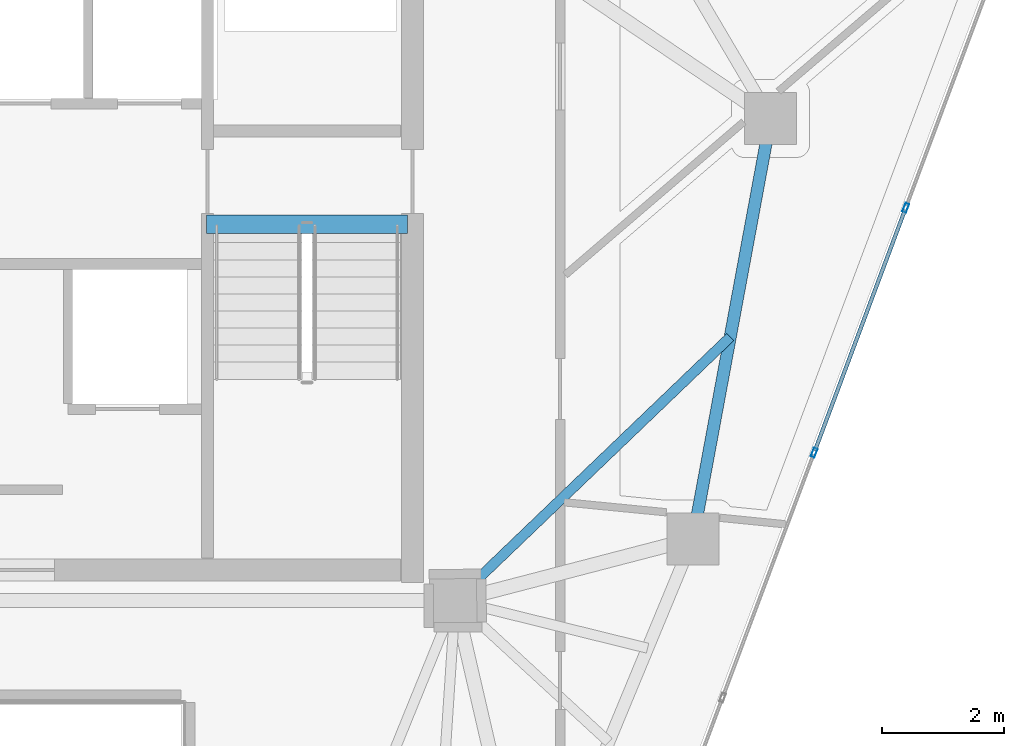
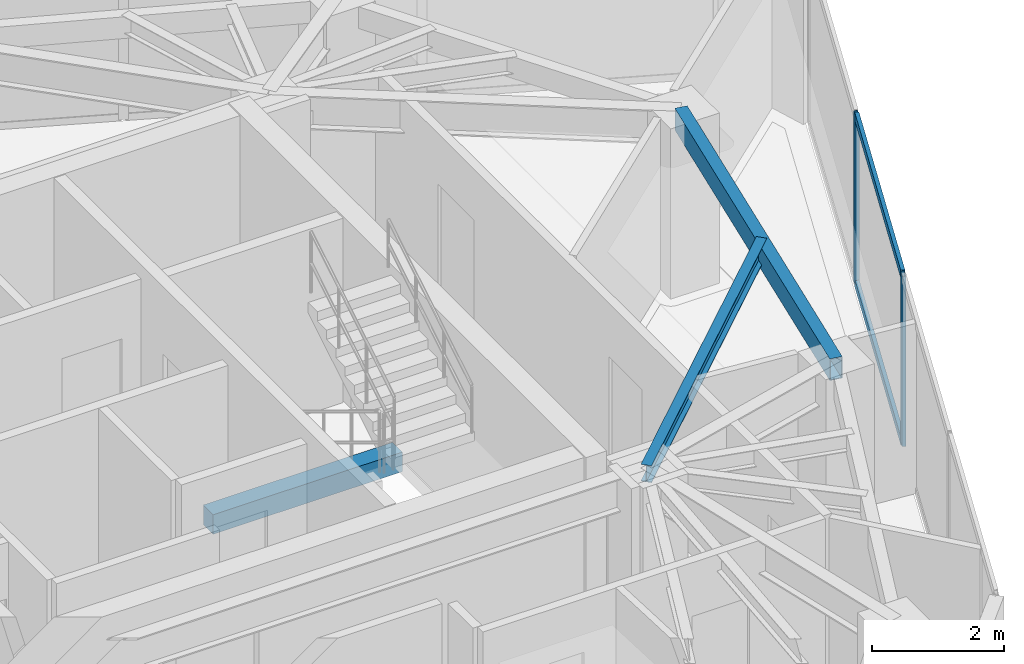
# One storey, part 12 of 20: 4 members, 3 beams, 1 element without a shape of its own.
"""IFC4 building model written with IfcOpenShell, lengths in metres."""

import ifcopenshell
import ifcopenshell.guid

model = None  # the IFC model being written
_history = None  # IfcOwnerHistory: only IFC2X3 demands one
_inside = {}  # id of a spatial element -> (the spatial element, [elements in it])
_under = {}  # id of a project, library or spatial element -> (it, [spatial elements below it])
_declared = {}  # id of a project -> (the project, [libraries it declares])
_typed = {}  # id of a type object -> (the type object, [elements of that type])
_made_of = {}  # id of a material, layer set ... -> (it, [elements and type objects made of it])


def new_model(schema):
    """Start an empty IFC model of exactly this schema.

    Asked for "IFC4X3", IfcOpenShell would pick the latest addendum, in which some entities
    have other attributes; the version numbers below select the first issue.
    IFC2X3 requires an IfcOwnerHistory on every rooted entity: one is made here for all.
    """
    global model, _history
    if schema == "IFC4X3":
        model = ifcopenshell.file(schema_version=(4, 3, 0, 0))
    else:
        model = ifcopenshell.file(schema=schema)
    _inside.clear()
    _under.clear()
    _declared.clear()
    _typed.clear()
    _made_of.clear()
    _history = None
    if model.schema == "IFC2X3":
        org = make("IfcOrganization", Name="unknown")
        user = make(
            "IfcPersonAndOrganization",
            ThePerson=make("IfcPerson", FamilyName="unknown"),
            TheOrganization=org,
        )
        app = make(
            "IfcApplication",
            ApplicationDeveloper=org,
            Version="unknown",
            ApplicationFullName="unknown",
            ApplicationIdentifier="unknown",
        )
        _history = make(
            "IfcOwnerHistory",
            OwningUser=user,
            OwningApplication=app,
            ChangeAction="ADDED",
            CreationDate=0,
        )
    return model


def make(cls, **values):
    """One entity of the class cls with the attributes given. An attribute that is None is left unset."""
    return model.create_entity(
        cls, **{name: value for name, value in values.items() if value is not None}
    )


def rooted(cls, **values):
    """An entity with a GlobalId (a new one), such as an element, a storey or a relation."""
    return make(cls, GlobalId=ifcopenshell.guid.new(), OwnerHistory=_history, **values)


def si_unit(unit_type, name, prefix=None):
    """IfcSIUnit, for example si_unit("LENGTHUNIT", "METRE", prefix="MILLI")."""
    return make("IfcSIUnit", UnitType=unit_type, Prefix=prefix, Name=name)


def assignment(units):
    """IfcUnitAssignment: the units of a project."""
    return None if units is None else make("IfcUnitAssignment", Units=units)


def point(xyz):
    """IfcCartesianPoint."""
    return None if xyz is None else make("IfcCartesianPoint", Coordinates=xyz)


def direction(xyz):
    """IfcDirection."""
    return None if xyz is None else make("IfcDirection", DirectionRatios=xyz)


def frame(location, z_axis=None, x_axis=None):
    """IfcAxis2Placement3D, a coordinate frame: its origin and axes. An axis left out is left unset."""
    return make(
        "IfcAxis2Placement3D",
        Location=point(location),
        Axis=direction(z_axis),
        RefDirection=direction(x_axis),
    )


def frame_2d(location, x_axis=None):
    """IfcAxis2Placement2D, a coordinate frame in the plane: its origin and x axis."""
    return make(
        "IfcAxis2Placement2D", Location=point(location), RefDirection=direction(x_axis)
    )


def origin():
    """The frame at (0, 0, 0) with its axes left unset."""
    return frame((0.0, 0.0, 0.0))


def origin_2d():
    """The frame at (0, 0) in the plane with its x axis left unset."""
    return frame_2d((0.0, 0.0))


def place(relative_to, where):
    """IfcLocalPlacement: puts the frame where relative to a parent placement (None: the world)."""
    return make(
        "IfcLocalPlacement", PlacementRelTo=relative_to, RelativePlacement=where
    )


def context(
    kind, dimensions, precision=None, world=None, true_north=None, identifier=None
):
    """IfcGeometricRepresentationContext, for example the 3D "Model" context."""
    return make(
        "IfcGeometricRepresentationContext",
        ContextIdentifier=identifier,
        ContextType=kind,
        CoordinateSpaceDimension=dimensions,
        Precision=precision,
        WorldCoordinateSystem=world,
        TrueNorth=true_north,
    )


def subcontext(parent, identifier, kind, view, scale=None):
    """IfcGeometricRepresentationSubContext, for example "Body" below "Model"."""
    return make(
        "IfcGeometricRepresentationSubContext",
        ContextIdentifier=identifier,
        ContextType=kind,
        ParentContext=parent,
        TargetScale=scale,
        TargetView=view,
    )


def project(units=None, contexts=None):
    """IfcProject with its units and contexts."""
    return rooted(
        "IfcProject",
        Name="project",
        RepresentationContexts=contexts,
        UnitsInContext=assignment(units),
    )


def spatial(cls, under=None, at=None, **own):
    """A site, building, storey or space (cls), placed at a placement, below another one or the project."""
    s = rooted(cls, ObjectPlacement=at, **own)
    if under is not None:
        _under.setdefault(under.id(), (under, []))[1].append(s)
    return s


def profile(cls, at=None, kind="AREA", **sizes):
    """A parametric profile (cls). Its sizes go by their IFC names, for example OverallWidth=200.0."""
    return make(cls, ProfileType=kind, Position=at, **sizes)


def rectangle(**sizes):
    """IfcRectangleProfileDef."""
    return profile("IfcRectangleProfileDef", **sizes)


def hollow_rectangle(**sizes):
    """IfcRectangleHollowProfileDef."""
    return profile("IfcRectangleHollowProfileDef", **sizes)


def i_section(**sizes):
    """IfcIShapeProfileDef."""
    return profile("IfcIShapeProfileDef", **sizes)


def extrude(swept, where, along, depth):
    """IfcExtrudedAreaSolid: the profile swept, set in the frame where, extruded along a direction by depth."""
    return make(
        "IfcExtrudedAreaSolid",
        SweptArea=swept,
        Position=where,
        ExtrudedDirection=direction(along),
        Depth=depth,
    )


def shape(context_of_items, identifier, shape_type, items):
    """IfcShapeRepresentation: the items that make up one representation, for example the "Body"."""
    return make(
        "IfcShapeRepresentation",
        ContextOfItems=context_of_items,
        RepresentationIdentifier=identifier,
        RepresentationType=shape_type,
        Items=items,
    )


def source(mapping_origin, context_of_items, identifier, shape_type, items):
    """IfcRepresentationMap: a shape defined once, which mapped items show again and again."""
    return make(
        "IfcRepresentationMap",
        MappingOrigin=mapping_origin,
        MappedRepresentation=shape(context_of_items, identifier, shape_type, items),
    )


def transform(
    local_origin,
    x_axis=None,
    y_axis=None,
    z_axis=None,
    scale=None,
    scale2=None,
    scale3=None,
    uniform=True,
):
    """IfcCartesianTransformationOperator3D, or its non-uniform kind. x_axis, y_axis, z_axis: its Axis1, 2, 3."""
    if uniform:
        return make(
            "IfcCartesianTransformationOperator3D",
            Axis1=direction(x_axis),
            Axis2=direction(y_axis),
            LocalOrigin=point(local_origin),
            Scale=scale,
            Axis3=direction(z_axis),
        )
    return make(
        "IfcCartesianTransformationOperator3DnonUniform",
        Axis1=direction(x_axis),
        Axis2=direction(y_axis),
        LocalOrigin=point(local_origin),
        Scale=scale,
        Axis3=direction(z_axis),
        Scale2=scale2,
        Scale3=scale3,
    )


def mapped(mapping_source, mapping_target):
    """IfcMappedItem: shows the shape of a source again, moved by a transform."""
    return make(
        "IfcMappedItem", MappingSource=mapping_source, MappingTarget=mapping_target
    )


def material(Name=None, Category=None):
    """IfcMaterial."""
    return make("IfcMaterial", Name=Name, Category=Category)


def layer(
    of_material, thickness, ventilated=None, Name=None, Category=None, Priority=None
):
    """IfcMaterialLayer: one layer of a wall or slab, of a material (None: an air gap)."""
    return make(
        "IfcMaterialLayer",
        Material=of_material,
        LayerThickness=thickness,
        IsVentilated=ventilated,
        Name=Name,
        Category=Category,
        Priority=Priority,
    )


def layer_set(layers, Name=None):
    """IfcMaterialLayerSet."""
    return make("IfcMaterialLayerSet", MaterialLayers=layers, LayerSetName=Name)


def material_profile(
    of_material, cross_section, Name=None, Category=None, Priority=None
):
    """IfcMaterialProfile: a cross section and its material."""
    return make(
        "IfcMaterialProfile",
        Name=Name,
        Material=of_material,
        Profile=cross_section,
        Priority=Priority,
        Category=Category,
    )


def profile_set(profiles, Name=None, composite=None):
    """IfcMaterialProfileSet."""
    return make(
        "IfcMaterialProfileSet",
        Name=Name,
        MaterialProfiles=profiles,
        CompositeProfile=composite,
    )


def made_of(thing, what):
    """Note that an element or type object is made of a material, layer set ...; save() writes the relation."""
    if what is not None:
        _made_of.setdefault(what.id(), (what, []))[1].append(thing)
    return thing


def type_object(cls, material=None, **own):
    """A type object (cls), such as IfcWallType, which elements share."""
    return made_of(rooted(cls, **own), material)


def type_shapes(of_type, sources):
    """Give a type object the sources (RepresentationMaps) that its elements show as mapped items."""
    of_type.RepresentationMaps = sources


def element(
    cls,
    number,
    at=None,
    inside=None,
    cuts=None,
    type_object=None,
    material=None,
    context=None,
    identifier="Body",
    shape_type=None,
    held_by="IfcProductDefinitionShape",
    body=None,
    shapes=None,
    **own,
):
    """One element of the class cls, such as IfcWall. Its Tag is "e" and its number.

    at: its placement. inside: the storey or other place that contains it. cuts: it is an
    opening in that element (IfcRelVoidsElement). A single representation is given by context,
    identifier, shape_type and body (its items); several are given by shapes. held_by: the class
    of the entity that holds the representations. save() writes the other relations.
    """
    e = rooted(cls, Tag="e%d" % number, ObjectPlacement=at, **own)
    if body is not None:
        shapes = [shape(context, identifier, shape_type, body)]
    if shapes is not None:
        e.Representation = make(held_by, Representations=shapes)
    if inside is not None:
        _inside.setdefault(inside.id(), (inside, []))[1].append(e)
    if cuts is not None:
        rooted(
            "IfcRelVoidsElement", RelatingBuildingElement=cuts, RelatedOpeningElement=e
        )
    if type_object is not None:
        _typed.setdefault(type_object.id(), (type_object, []))[1].append(e)
    return made_of(e, material)


def aggregate(whole, parts):
    """IfcRelAggregates: a whole, such as a stair, and the parts it consists of."""
    return rooted("IfcRelAggregates", RelatingObject=whole, RelatedObjects=parts)


def save(model, path):
    """Write the relations noted so far, then the file.

    IfcRelAggregates (storeys below a building ...), IfcRelContainedInSpatialStructure (elements
    in a storey), IfcRelDefinesByType, IfcRelAssociatesMaterial and IfcRelDeclares: one each for
    every whole, place, type object, material and project.
    """
    for whole, parts in _under.values():
        aggregate(whole, parts)
    for where, things in _inside.values():
        rooted(
            "IfcRelContainedInSpatialStructure",
            RelatedElements=things,
            RelatingStructure=where,
        )
    for kind, things in _typed.values():
        rooted("IfcRelDefinesByType", RelatedObjects=things, RelatingType=kind)
    for what, things in _made_of.values():
        rooted("IfcRelAssociatesMaterial", RelatedObjects=things, RelatingMaterial=what)
    for by, libraries in _declared.values():
        rooted("IfcRelDeclares", RelatingContext=by, RelatedDefinitions=libraries)
    model.write(path)


model = new_model("IFC4")

# Units and contexts
model_context = context("Model", 3, precision=1e-05, world=origin(), true_north=direction((0.0, 1.0)))
body_context = subcontext(model_context, "Body", "Model", "MODEL_VIEW")
ifc_project = project(units=[si_unit("LENGTHUNIT", "METRE"), si_unit("AREAUNIT", "SQUARE_METRE"), si_unit("VOLUMEUNIT", "CUBIC_METRE"), si_unit("PLANEANGLEUNIT", "RADIAN"), si_unit("MASSUNIT", "GRAM", prefix="KILO")], contexts=[model_context])

# Site, building, storey
site_placement = place(None, origin())
site = spatial("IfcSite", under=ifc_project, at=site_placement, CompositionType="ELEMENT")
building_placement = place(site_placement, origin())
building = spatial("IfcBuilding", under=site, at=building_placement, Name="Talar Marvaseh", CompositionType="ELEMENT")
storey_placement = place(building_placement, frame((0.0, 0.0, 268.0)))
storey = spatial("IfcBuildingStorey", under=building, at=storey_placement, Name="L71", CompositionType="ELEMENT", Elevation=268.0)

# Beams
ifc_material_1 = material(Name="Concrete C40/50", Category="concrete")
ifc_material_profile_1 = material_profile(ifc_material_1, rectangle(XDim=0.300048828125, YDim=0.360107421875, at=origin_2d()), Name="RC300x360")
ifc_profile_set_1 = profile_set([ifc_material_profile_1], Name="Concrete C40/50")
beam_type_1 = type_object("IfcBeamType", Name="Concrete Stair Landing Trimmer Beam RC300x360", PredefinedType="SPANDREL", material=ifc_profile_set_1)
beam_1_placement = place(storey_placement, frame((29.219970703125, 31.669921875, -0.179931640625), z_axis=(1.0, 0.0, 0.0), x_axis=(0.0, 1.0, 0.0)))
element("IfcBeam", 1, at=beam_1_placement, inside=storey, type_object=beam_type_1, Name="L71 ST-2 Stair Nosing Trimmer Beam", PredefinedType="SPANDREL", context=body_context, shape_type="SweptSolid", body=[
    extrude(rectangle(XDim=0.300048828125, YDim=0.360107421875, at=origin_2d()), origin(), (0.0, 0.0, 1.0), 3.300048828125),
])
ifc_material_2 = material(Name="Steel S355", Category="steel")
ifc_material_profile_2 = material_profile(ifc_material_2, hollow_rectangle(XDim=0.199951171875, YDim=0.39990234375, WallThickness=0.013916015625, at=origin_2d()), Name="RHS400x200x14")
ifc_profile_set_2 = profile_set([ifc_material_profile_2], Name="Steel S355")
beam_type_2 = type_object("IfcBeamType", Name="Zone 3 Perimeter Spandrel Beam RHS400x200x14", PredefinedType="SPANDREL", material=ifc_profile_set_2)
beam_2_placement = place(storey_placement, frame((38.470947265625, 33.406005859375, 2.93994140625), z_axis=(-0.181759950929, -0.983342931148, 0.0), x_axis=(0.983342931148, -0.181759950929, 0.0)))
element("IfcBeam", 2, at=beam_2_placement, inside=storey, type_object=beam_type_2, Name="L71 Zone 3 Perimeter Spandrel Beam RHS400x200x14", PredefinedType="SPANDREL", context=body_context, shape_type="SweptSolid", body=[
    extrude(hollow_rectangle(XDim=0.199951171875, YDim=0.39990234375, WallThickness=0.013916015625, at=origin_2d()), origin(), (0.0, 0.0, 1.0), 7.0087890625),
])
ifc_material_profile_3 = material_profile(ifc_material_2, i_section(OverallWidth=0.166015625, OverallDepth=0.31298828125, WebThickness=0.006591796875, FlangeThickness=0.01123046875, at=origin_2d()), Name="W310x45")
ifc_profile_set_3 = profile_set([ifc_material_profile_3], Name="Steel S355")
beam_type_3 = type_object("IfcBeamType", Name="Zone 3 Secondary Floor Joist W310x45", PredefinedType="JOIST", material=ifc_profile_set_3)
beam_3_placement = place(storey_placement, frame((37.80859375, 29.822265625, 2.9833984375), z_axis=(-0.721862081493, -0.692036946486, 0.0), x_axis=(0.692036946486, -0.721862081493, 0.0)))
element("IfcBeam", 3, at=beam_3_placement, inside=storey, type_object=beam_type_3, Name="L71 Zone 3 Secondary Floor Joist W310x45", PredefinedType="JOIST", context=body_context, shape_type="SweptSolid", body=[
    extrude(i_section(OverallWidth=0.166015625, OverallDepth=0.31298828125, WebThickness=0.006591796875, FlangeThickness=0.01123046875, at=origin_2d()), origin(), (0.0, 0.0, 1.0), 6.24560546875),
])

# Curtain wall, members
ifc_material_3 = material(Name="Architectural Aluminium", Category="aluminium")
ifc_layer = layer(ifc_material_3, 0.179931640625)
ifc_layer_set = layer_set([ifc_layer], Name="Architectural Aluminium")
curtain_wall_type = type_object("IfcCurtainWallType", Name="Unitised High-Wind Sky Curtain Wall Z4", PredefinedType="NOTDEFINED", material=ifc_layer_set)
curtain_wall_placement = place(storey_placement, origin())
curtain_wall = element("IfcCurtainWall", 4, at=curtain_wall_placement, inside=storey, type_object=curtain_wall_type, Name="L71 Unitised High-Wind Sky Curtain Wall Z4", PredefinedType="NOTDEFINED")
ifc_material_profile_4 = material_profile(ifc_material_3, hollow_rectangle(XDim=0.06494140625, YDim=0.14990234375, WallThickness=0.00390625, at=origin_2d()), Name="RHS150x65x4")
ifc_profile_set_4 = profile_set([ifc_material_profile_4], Name="Architectural Aluminium")
member_type_1 = type_object("IfcMemberType", Name="Unitised Curtain Wall Slim Mullion RHS150x65x4", PredefinedType="MULLION", material=ifc_profile_set_4)
shared_shape_1 = source(origin(), body_context, "Body", "SweptSolid", [
    extrude(hollow_rectangle(XDim=0.06494140625, YDim=0.14990234375, WallThickness=0.00390625, at=origin_2d()), origin(), (0.0, 0.0, 1.0), 3.139892578125),
])
type_shapes(member_type_1, [shared_shape_1])
member_1_placement = place(storey_placement, frame((40.686767578125, 31.941650390625, 0.0), z_axis=(0.0, 0.0, 1.0), x_axis=(0.93661841065, -0.350351185001, 0.0)))
member_1 = element("IfcMember", 5, at=member_1_placement, type_object=member_type_1, Name="CW-Z4 mullion 2", PredefinedType="MULLION", context=body_context, shape_type="MappedRepresentation", body=[
    mapped(shared_shape_1, transform((0.0, 0.0, 0.0), x_axis=(1.0, 0.0, 0.0), y_axis=(0.0, 1.0, 0.0), z_axis=(0.0, 0.0, 1.0), scale=1.0)),
])
member_2_placement = place(storey_placement, frame((39.18505859375, 27.927001953125, 0.0), z_axis=(0.0, 0.0, 1.0), x_axis=(0.93661841065, -0.350351185001, 0.0)))
member_2 = element("IfcMember", 6, at=member_2_placement, type_object=member_type_1, Name="CW-Z4 mullion 3", PredefinedType="MULLION", context=body_context, shape_type="MappedRepresentation", body=[
    mapped(shared_shape_1, transform((0.0, 0.0, 0.0), x_axis=(1.0, 0.0, 0.0), y_axis=(0.0, 1.0, 0.0), z_axis=(0.0, 0.0, 1.0), scale=1.0)),
])
ifc_material_profile_5 = material_profile(ifc_material_3, hollow_rectangle(XDim=0.06494140625, YDim=0.14990234375, WallThickness=0.00390625, at=origin_2d()), Name="RHS150x65x4")
ifc_profile_set_5 = profile_set([ifc_material_profile_5], Name="Architectural Aluminium")
member_type_2 = type_object("IfcMemberType", Name="Unitised Curtain Wall Slim Transom RHS150x65x4", PredefinedType="USERDEFINED", material=ifc_profile_set_5)
shared_shape_2 = source(origin(), body_context, "Body", "SweptSolid", [
    extrude(hollow_rectangle(XDim=0.06494140625, YDim=0.14990234375, WallThickness=0.00390625, at=origin_2d()), origin(), (0.0, 0.0, 1.0), 4.22119140625),
])
type_shapes(member_type_2, [shared_shape_2])
member_3_placement = place(storey_placement, frame((40.67529296875, 31.9111328125, 0.032470703125), z_axis=(-0.350375412431, -0.936609347788, 0.0), x_axis=(0.936609347788, -0.350375412431, 0.0)))
member_3 = element("IfcMember", 7, at=member_3_placement, type_object=member_type_2, Name="CW-Z4 transom 2.1", ObjectType="TRANSOM", PredefinedType="USERDEFINED", context=body_context, shape_type="MappedRepresentation", body=[
    mapped(shared_shape_2, transform((0.0, 0.0, 0.0), x_axis=(1.0, 0.0, 0.0), y_axis=(0.0, 1.0, 0.0), z_axis=(0.0, 0.0, 1.0), scale=1.0)),
])
member_4_placement = place(storey_placement, frame((40.67529296875, 31.9111328125, 3.107421875), z_axis=(-0.350375412431, -0.936609347788, 0.0), x_axis=(0.936609347788, -0.350375412431, 0.0)))
member_4 = element("IfcMember", 8, at=member_4_placement, type_object=member_type_2, Name="CW-Z4 transom 2.2", ObjectType="TRANSOM", PredefinedType="USERDEFINED", context=body_context, shape_type="MappedRepresentation", body=[
    mapped(shared_shape_2, transform((0.0, 0.0, 0.0), x_axis=(1.0, 0.0, 0.0), y_axis=(0.0, 1.0, 0.0), z_axis=(0.0, 0.0, 1.0), scale=1.0)),
])
aggregate(curtain_wall, [member_1, member_2, member_3, member_4])

save(model, "model.ifc")
